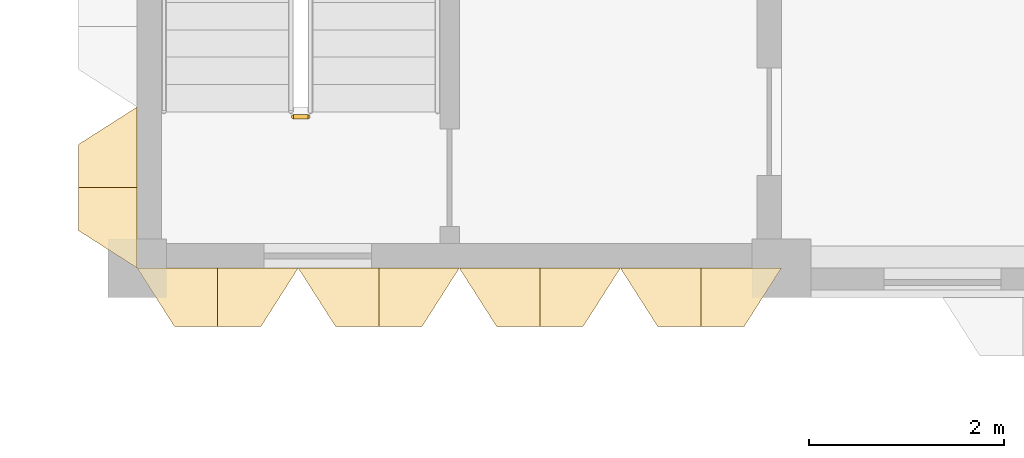
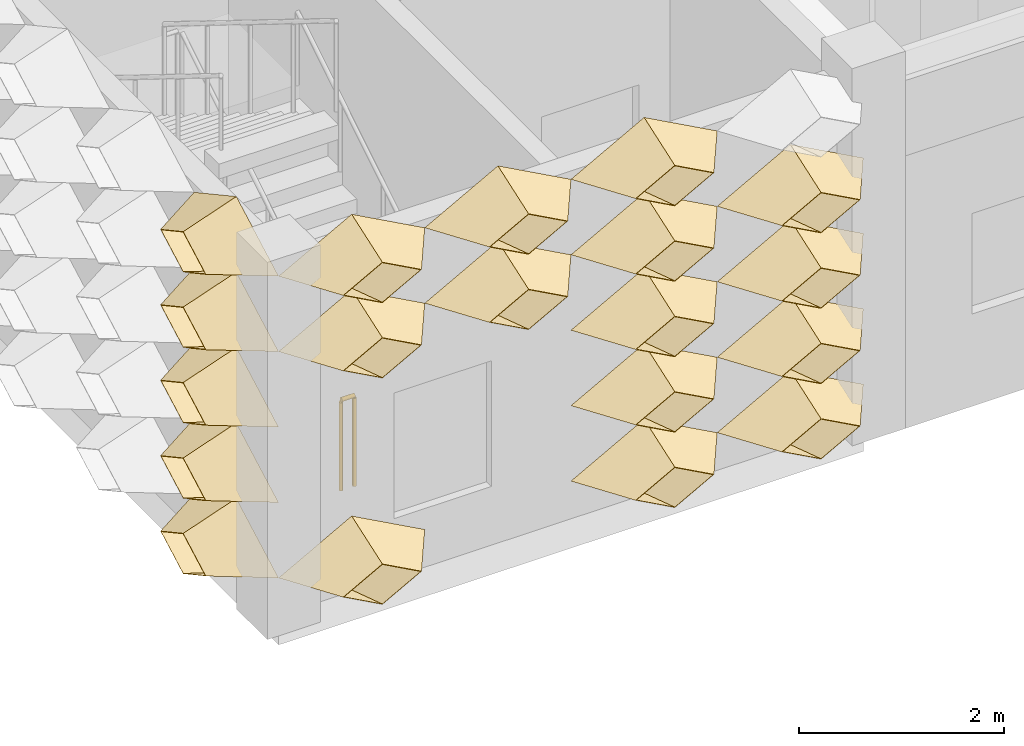
# One storey, part 52 of 87: 19 coverings, 1 railing.
"""IFC4 building model written with IfcOpenShell, lengths in metres."""

from ifc_helpers import new_model, entity, si_unit, direction, frame, origin, origin_2d, place, context, subcontext, project, spatial, circle, extrude, material, layer, layer_set, type_object, element, save


model = new_model("IFC4")

# Units and contexts
model_context = context("Model", 3, precision=1e-05, world=origin(), true_north=direction((0.0, 1.0)))
body_context = subcontext(model_context, "Body", "Model", "MODEL_VIEW")
ifc_project = project(units=[si_unit("LENGTHUNIT", "METRE"), si_unit("AREAUNIT", "SQUARE_METRE"), si_unit("VOLUMEUNIT", "CUBIC_METRE"), si_unit("PLANEANGLEUNIT", "RADIAN"), si_unit("MASSUNIT", "GRAM", prefix="KILO")], contexts=[model_context])

# Site, building, storey
site_placement = place(None, origin())
site = spatial("IfcSite", under=ifc_project, at=site_placement, CompositionType="ELEMENT")
building_placement = place(site_placement, origin())
building = spatial("IfcBuilding", under=site, at=building_placement, Name="Lantern Court Research Institute", CompositionType="ELEMENT")
storey_placement = place(building_placement, frame((0.0, 0.0, 5.39990234375)))
storey = spatial("IfcBuildingStorey", under=building, at=storey_placement, Name="L01", CompositionType="ELEMENT", Elevation=5.39990234375)

# Coverings
ifc_material_1 = material(Name="Anodised aluminium", Category="aluminium")
ifc_layer = layer(ifc_material_1, 0.01611328125)
ifc_layer_set = layer_set([ifc_layer], Name="Anodised aluminium")
covering_type = type_object("IfcCoveringType", Name="Fin cassette 1650 x 900 x 600 aluminium", PredefinedType="CLADDING", material=ifc_layer_set)
covering_1_placement = place(storey_placement, frame((0.824951171875, 49.5, 0.4501953125), z_axis=(0.0, -1.0, 0.0), x_axis=(1.0, 0.0, 0.0)))
cartesian_point_1 = entity("IfcCartesianPoint", [0.824951171875, 0.0])
cartesian_point_2 = entity("IfcCartesianPoint", [0.79150390625, 0.0])
cartesian_point_3 = entity("IfcCartesianPoint", [0.44189453125, 0.0])
cartesian_point_4 = entity("IfcCartesianPoint", [0.43359375, 0.0])
element("IfcCovering", 1, at=covering_1_placement, inside=storey, type_object=covering_type, Name="Fin cassette V3S-L01 1.1", PredefinedType="CLADDING", context=body_context, shape_type="SweptSolid", body=[
    entity("IfcExtrudedAreaSolidTapered", entity("IfcArbitraryProfileDefWithVoids", "AREA", None, entity("IfcPolyline", [cartesian_point_1, entity("IfcCartesianPoint", [0.0, 0.449951171875]), entity("IfcCartesianPoint", [-0.824951171875, 0.0]), entity("IfcCartesianPoint", [0.0, -0.449951171875]), cartesian_point_1]), [entity("IfcPolyline", [cartesian_point_2, entity("IfcCartesianPoint", [0.0, 0.431884765625]), entity("IfcCartesianPoint", [-0.79150390625, 0.0]), entity("IfcCartesianPoint", [0.0, -0.431884765625]), cartesian_point_2])]), entity("IfcAxis2Placement3D", entity("IfcCartesianPoint", [0.0, 0.0, 0.0])), entity("IfcDirection", [0.0, 0.0, 1.0]), 0.60009765625, entity("IfcArbitraryProfileDefWithVoids", "AREA", None, entity("IfcPolyline", [cartesian_point_3, entity("IfcCartesianPoint", [0.0, 0.240966796875]), entity("IfcCartesianPoint", [-0.44189453125, 0.0]), entity("IfcCartesianPoint", [0.0, -0.240966796875]), cartesian_point_3]), [entity("IfcPolyline", [cartesian_point_4, entity("IfcCartesianPoint", [0.0, 0.236572265625]), entity("IfcCartesianPoint", [-0.43359375, 0.0]), entity("IfcCartesianPoint", [0.0, -0.236572265625]), cartesian_point_4])])),
])
covering_2_placement = place(storey_placement, frame((4.125, 49.5, 0.4501953125), z_axis=(0.0, -1.0, 0.0), x_axis=(1.0, 0.0, 0.0)))
cartesian_point_5 = entity("IfcCartesianPoint", [0.824951171875, 0.0])
cartesian_point_6 = entity("IfcCartesianPoint", [0.79150390625, 0.0])
cartesian_point_7 = entity("IfcCartesianPoint", [0.44189453125, 0.0])
cartesian_point_8 = entity("IfcCartesianPoint", [0.43359375, 0.0])
element("IfcCovering", 2, at=covering_2_placement, inside=storey, type_object=covering_type, Name="Fin cassette V3S-L01 1.3", PredefinedType="CLADDING", context=body_context, shape_type="SweptSolid", body=[
    entity("IfcExtrudedAreaSolidTapered", entity("IfcArbitraryProfileDefWithVoids", "AREA", None, entity("IfcPolyline", [cartesian_point_5, entity("IfcCartesianPoint", [0.0, 0.449951171875]), entity("IfcCartesianPoint", [-0.824951171875, 0.0]), entity("IfcCartesianPoint", [0.0, -0.449951171875]), cartesian_point_5]), [entity("IfcPolyline", [cartesian_point_6, entity("IfcCartesianPoint", [0.0, 0.431884765625]), entity("IfcCartesianPoint", [-0.79150390625, 0.0]), entity("IfcCartesianPoint", [0.0, -0.431884765625]), cartesian_point_6])]), entity("IfcAxis2Placement3D", entity("IfcCartesianPoint", [0.0, 0.0, 0.0])), entity("IfcDirection", [0.0, 0.0, 1.0]), 0.60009765625, entity("IfcArbitraryProfileDefWithVoids", "AREA", None, entity("IfcPolyline", [cartesian_point_7, entity("IfcCartesianPoint", [0.0, 0.240966796875]), entity("IfcCartesianPoint", [-0.44189453125, 0.0]), entity("IfcCartesianPoint", [0.0, -0.240966796875]), cartesian_point_7]), [entity("IfcPolyline", [cartesian_point_8, entity("IfcCartesianPoint", [0.0, 0.236572265625]), entity("IfcCartesianPoint", [-0.43359375, 0.0]), entity("IfcCartesianPoint", [0.0, -0.236572265625]), cartesian_point_8])])),
])
covering_3_placement = place(storey_placement, frame((5.77490234375, 49.5, 0.4501953125), z_axis=(0.0, -1.0, 0.0), x_axis=(1.0, 0.0, 0.0)))
cartesian_point_9 = entity("IfcCartesianPoint", [0.824951171875, 0.0])
cartesian_point_10 = entity("IfcCartesianPoint", [0.79150390625, 0.0])
cartesian_point_11 = entity("IfcCartesianPoint", [0.44189453125, 0.0])
cartesian_point_12 = entity("IfcCartesianPoint", [0.43359375, 0.0])
element("IfcCovering", 3, at=covering_3_placement, inside=storey, type_object=covering_type, Name="Fin cassette V3S-L01 1.4", PredefinedType="CLADDING", context=body_context, shape_type="SweptSolid", body=[
    entity("IfcExtrudedAreaSolidTapered", entity("IfcArbitraryProfileDefWithVoids", "AREA", None, entity("IfcPolyline", [cartesian_point_9, entity("IfcCartesianPoint", [0.0, 0.449951171875]), entity("IfcCartesianPoint", [-0.824951171875, 0.0]), entity("IfcCartesianPoint", [0.0, -0.449951171875]), cartesian_point_9]), [entity("IfcPolyline", [cartesian_point_10, entity("IfcCartesianPoint", [0.0, 0.431884765625]), entity("IfcCartesianPoint", [-0.79150390625, 0.0]), entity("IfcCartesianPoint", [0.0, -0.431884765625]), cartesian_point_10])]), entity("IfcAxis2Placement3D", entity("IfcCartesianPoint", [0.0, 0.0, 0.0])), entity("IfcDirection", [0.0, 0.0, 1.0]), 0.60009765625, entity("IfcArbitraryProfileDefWithVoids", "AREA", None, entity("IfcPolyline", [cartesian_point_11, entity("IfcCartesianPoint", [0.0, 0.240966796875]), entity("IfcCartesianPoint", [-0.44189453125, 0.0]), entity("IfcCartesianPoint", [0.0, -0.240966796875]), cartesian_point_11]), [entity("IfcPolyline", [cartesian_point_12, entity("IfcCartesianPoint", [0.0, 0.236572265625]), entity("IfcCartesianPoint", [-0.43359375, 0.0]), entity("IfcCartesianPoint", [0.0, -0.236572265625]), cartesian_point_12])])),
])
covering_4_placement = place(storey_placement, frame((4.125, 49.5, 1.35009765625), z_axis=(0.0, -1.0, 0.0), x_axis=(1.0, 0.0, 0.0)))
cartesian_point_13 = entity("IfcCartesianPoint", [0.824951171875, 0.0])
cartesian_point_14 = entity("IfcCartesianPoint", [0.79150390625, 0.0])
cartesian_point_15 = entity("IfcCartesianPoint", [0.44189453125, 0.0])
cartesian_point_16 = entity("IfcCartesianPoint", [0.43359375, 0.0])
element("IfcCovering", 4, at=covering_4_placement, inside=storey, type_object=covering_type, Name="Fin cassette V3S-L01 2.3", PredefinedType="CLADDING", context=body_context, shape_type="SweptSolid", body=[
    entity("IfcExtrudedAreaSolidTapered", entity("IfcArbitraryProfileDefWithVoids", "AREA", None, entity("IfcPolyline", [cartesian_point_13, entity("IfcCartesianPoint", [0.0, 0.449951171875]), entity("IfcCartesianPoint", [-0.824951171875, 0.0]), entity("IfcCartesianPoint", [0.0, -0.449951171875]), cartesian_point_13]), [entity("IfcPolyline", [cartesian_point_14, entity("IfcCartesianPoint", [0.0, 0.431884765625]), entity("IfcCartesianPoint", [-0.79150390625, 0.0]), entity("IfcCartesianPoint", [0.0, -0.431884765625]), cartesian_point_14])]), entity("IfcAxis2Placement3D", entity("IfcCartesianPoint", [0.0, 0.0, 0.0])), entity("IfcDirection", [0.0, 0.0, 1.0]), 0.60009765625, entity("IfcArbitraryProfileDefWithVoids", "AREA", None, entity("IfcPolyline", [cartesian_point_15, entity("IfcCartesianPoint", [0.0, 0.240966796875]), entity("IfcCartesianPoint", [-0.44189453125, 0.0]), entity("IfcCartesianPoint", [0.0, -0.240966796875]), cartesian_point_15]), [entity("IfcPolyline", [cartesian_point_16, entity("IfcCartesianPoint", [0.0, 0.236572265625]), entity("IfcCartesianPoint", [-0.43359375, 0.0]), entity("IfcCartesianPoint", [0.0, -0.236572265625]), cartesian_point_16])])),
])
covering_5_placement = place(storey_placement, frame((5.77490234375, 49.5, 1.35009765625), z_axis=(0.0, -1.0, 0.0), x_axis=(1.0, 0.0, 0.0)))
cartesian_point_17 = entity("IfcCartesianPoint", [0.824951171875, 0.0])
cartesian_point_18 = entity("IfcCartesianPoint", [0.79150390625, 0.0])
cartesian_point_19 = entity("IfcCartesianPoint", [0.44189453125, 0.0])
cartesian_point_20 = entity("IfcCartesianPoint", [0.43359375, 0.0])
element("IfcCovering", 5, at=covering_5_placement, inside=storey, type_object=covering_type, Name="Fin cassette V3S-L01 2.4", PredefinedType="CLADDING", context=body_context, shape_type="SweptSolid", body=[
    entity("IfcExtrudedAreaSolidTapered", entity("IfcArbitraryProfileDefWithVoids", "AREA", None, entity("IfcPolyline", [cartesian_point_17, entity("IfcCartesianPoint", [0.0, 0.449951171875]), entity("IfcCartesianPoint", [-0.824951171875, 0.0]), entity("IfcCartesianPoint", [0.0, -0.449951171875]), cartesian_point_17]), [entity("IfcPolyline", [cartesian_point_18, entity("IfcCartesianPoint", [0.0, 0.431884765625]), entity("IfcCartesianPoint", [-0.79150390625, 0.0]), entity("IfcCartesianPoint", [0.0, -0.431884765625]), cartesian_point_18])]), entity("IfcAxis2Placement3D", entity("IfcCartesianPoint", [0.0, 0.0, 0.0])), entity("IfcDirection", [0.0, 0.0, 1.0]), 0.60009765625, entity("IfcArbitraryProfileDefWithVoids", "AREA", None, entity("IfcPolyline", [cartesian_point_19, entity("IfcCartesianPoint", [0.0, 0.240966796875]), entity("IfcCartesianPoint", [-0.44189453125, 0.0]), entity("IfcCartesianPoint", [0.0, -0.240966796875]), cartesian_point_19]), [entity("IfcPolyline", [cartesian_point_20, entity("IfcCartesianPoint", [0.0, 0.236572265625]), entity("IfcCartesianPoint", [-0.43359375, 0.0]), entity("IfcCartesianPoint", [0.0, -0.236572265625]), cartesian_point_20])])),
])
covering_6_placement = place(storey_placement, frame((4.125, 49.5, 2.25), z_axis=(0.0, -1.0, 0.0), x_axis=(1.0, 0.0, 0.0)))
cartesian_point_21 = entity("IfcCartesianPoint", [0.824951171875, 0.0])
cartesian_point_22 = entity("IfcCartesianPoint", [0.79150390625, 0.0])
cartesian_point_23 = entity("IfcCartesianPoint", [0.44189453125, 0.0])
cartesian_point_24 = entity("IfcCartesianPoint", [0.43359375, 0.0])
element("IfcCovering", 6, at=covering_6_placement, inside=storey, type_object=covering_type, Name="Fin cassette V3S-L01 3.3", PredefinedType="CLADDING", context=body_context, shape_type="SweptSolid", body=[
    entity("IfcExtrudedAreaSolidTapered", entity("IfcArbitraryProfileDefWithVoids", "AREA", None, entity("IfcPolyline", [cartesian_point_21, entity("IfcCartesianPoint", [0.0, 0.449951171875]), entity("IfcCartesianPoint", [-0.824951171875, 0.0]), entity("IfcCartesianPoint", [0.0, -0.449951171875]), cartesian_point_21]), [entity("IfcPolyline", [cartesian_point_22, entity("IfcCartesianPoint", [0.0, 0.431884765625]), entity("IfcCartesianPoint", [-0.79150390625, 0.0]), entity("IfcCartesianPoint", [0.0, -0.431884765625]), cartesian_point_22])]), entity("IfcAxis2Placement3D", entity("IfcCartesianPoint", [0.0, 0.0, 0.0])), entity("IfcDirection", [0.0, 0.0, 1.0]), 0.60009765625, entity("IfcArbitraryProfileDefWithVoids", "AREA", None, entity("IfcPolyline", [cartesian_point_23, entity("IfcCartesianPoint", [0.0, 0.240966796875]), entity("IfcCartesianPoint", [-0.44189453125, 0.0]), entity("IfcCartesianPoint", [0.0, -0.240966796875]), cartesian_point_23]), [entity("IfcPolyline", [cartesian_point_24, entity("IfcCartesianPoint", [0.0, 0.236572265625]), entity("IfcCartesianPoint", [-0.43359375, 0.0]), entity("IfcCartesianPoint", [0.0, -0.236572265625]), cartesian_point_24])])),
])
covering_7_placement = place(storey_placement, frame((5.77490234375, 49.5, 2.25), z_axis=(0.0, -1.0, 0.0), x_axis=(1.0, 0.0, 0.0)))
cartesian_point_25 = entity("IfcCartesianPoint", [0.824951171875, 0.0])
cartesian_point_26 = entity("IfcCartesianPoint", [0.79150390625, 0.0])
cartesian_point_27 = entity("IfcCartesianPoint", [0.44189453125, 0.0])
cartesian_point_28 = entity("IfcCartesianPoint", [0.43359375, 0.0])
element("IfcCovering", 7, at=covering_7_placement, inside=storey, type_object=covering_type, Name="Fin cassette V3S-L01 3.4", PredefinedType="CLADDING", context=body_context, shape_type="SweptSolid", body=[
    entity("IfcExtrudedAreaSolidTapered", entity("IfcArbitraryProfileDefWithVoids", "AREA", None, entity("IfcPolyline", [cartesian_point_25, entity("IfcCartesianPoint", [0.0, 0.449951171875]), entity("IfcCartesianPoint", [-0.824951171875, 0.0]), entity("IfcCartesianPoint", [0.0, -0.449951171875]), cartesian_point_25]), [entity("IfcPolyline", [cartesian_point_26, entity("IfcCartesianPoint", [0.0, 0.431884765625]), entity("IfcCartesianPoint", [-0.79150390625, 0.0]), entity("IfcCartesianPoint", [0.0, -0.431884765625]), cartesian_point_26])]), entity("IfcAxis2Placement3D", entity("IfcCartesianPoint", [0.0, 0.0, 0.0])), entity("IfcDirection", [0.0, 0.0, 1.0]), 0.60009765625, entity("IfcArbitraryProfileDefWithVoids", "AREA", None, entity("IfcPolyline", [cartesian_point_27, entity("IfcCartesianPoint", [0.0, 0.240966796875]), entity("IfcCartesianPoint", [-0.44189453125, 0.0]), entity("IfcCartesianPoint", [0.0, -0.240966796875]), cartesian_point_27]), [entity("IfcPolyline", [cartesian_point_28, entity("IfcCartesianPoint", [0.0, 0.236572265625]), entity("IfcCartesianPoint", [-0.43359375, 0.0]), entity("IfcCartesianPoint", [0.0, -0.236572265625]), cartesian_point_28])])),
])
covering_8_placement = place(storey_placement, frame((0.824951171875, 49.5, 3.150146484375), z_axis=(0.0, -1.0, 0.0), x_axis=(1.0, 0.0, 0.0)))
cartesian_point_29 = entity("IfcCartesianPoint", [0.824951171875, 0.0])
cartesian_point_30 = entity("IfcCartesianPoint", [0.79150390625, 0.0])
cartesian_point_31 = entity("IfcCartesianPoint", [0.44189453125, 0.0])
cartesian_point_32 = entity("IfcCartesianPoint", [0.43359375, 0.0])
element("IfcCovering", 8, at=covering_8_placement, inside=storey, type_object=covering_type, Name="Fin cassette V3S-L01 4.1", PredefinedType="CLADDING", context=body_context, shape_type="SweptSolid", body=[
    entity("IfcExtrudedAreaSolidTapered", entity("IfcArbitraryProfileDefWithVoids", "AREA", None, entity("IfcPolyline", [cartesian_point_29, entity("IfcCartesianPoint", [0.0, 0.449951171875]), entity("IfcCartesianPoint", [-0.824951171875, 0.0]), entity("IfcCartesianPoint", [0.0, -0.449951171875]), cartesian_point_29]), [entity("IfcPolyline", [cartesian_point_30, entity("IfcCartesianPoint", [0.0, 0.431884765625]), entity("IfcCartesianPoint", [-0.79150390625, 0.0]), entity("IfcCartesianPoint", [0.0, -0.431884765625]), cartesian_point_30])]), entity("IfcAxis2Placement3D", entity("IfcCartesianPoint", [0.0, 0.0, 0.0])), entity("IfcDirection", [0.0, 0.0, 1.0]), 0.60009765625, entity("IfcArbitraryProfileDefWithVoids", "AREA", None, entity("IfcPolyline", [cartesian_point_31, entity("IfcCartesianPoint", [0.0, 0.240966796875]), entity("IfcCartesianPoint", [-0.44189453125, 0.0]), entity("IfcCartesianPoint", [0.0, -0.240966796875]), cartesian_point_31]), [entity("IfcPolyline", [cartesian_point_32, entity("IfcCartesianPoint", [0.0, 0.236572265625]), entity("IfcCartesianPoint", [-0.43359375, 0.0]), entity("IfcCartesianPoint", [0.0, -0.236572265625]), cartesian_point_32])])),
])
covering_9_placement = place(storey_placement, frame((2.47509765625, 49.5, 3.150146484375), z_axis=(0.0, -1.0, 0.0), x_axis=(1.0, 0.0, 0.0)))
cartesian_point_33 = entity("IfcCartesianPoint", [0.824951171875, 0.0])
cartesian_point_34 = entity("IfcCartesianPoint", [0.79150390625, 0.0])
cartesian_point_35 = entity("IfcCartesianPoint", [0.44189453125, 0.0])
cartesian_point_36 = entity("IfcCartesianPoint", [0.43359375, 0.0])
element("IfcCovering", 9, at=covering_9_placement, inside=storey, type_object=covering_type, Name="Fin cassette V3S-L01 4.2", PredefinedType="CLADDING", context=body_context, shape_type="SweptSolid", body=[
    entity("IfcExtrudedAreaSolidTapered", entity("IfcArbitraryProfileDefWithVoids", "AREA", None, entity("IfcPolyline", [cartesian_point_33, entity("IfcCartesianPoint", [0.0, 0.449951171875]), entity("IfcCartesianPoint", [-0.824951171875, 0.0]), entity("IfcCartesianPoint", [0.0, -0.449951171875]), cartesian_point_33]), [entity("IfcPolyline", [cartesian_point_34, entity("IfcCartesianPoint", [0.0, 0.431884765625]), entity("IfcCartesianPoint", [-0.79150390625, 0.0]), entity("IfcCartesianPoint", [0.0, -0.431884765625]), cartesian_point_34])]), entity("IfcAxis2Placement3D", entity("IfcCartesianPoint", [0.0, 0.0, 0.0])), entity("IfcDirection", [0.0, 0.0, 1.0]), 0.60009765625, entity("IfcArbitraryProfileDefWithVoids", "AREA", None, entity("IfcPolyline", [cartesian_point_35, entity("IfcCartesianPoint", [0.0, 0.240966796875]), entity("IfcCartesianPoint", [-0.44189453125, 0.0]), entity("IfcCartesianPoint", [0.0, -0.240966796875]), cartesian_point_35]), [entity("IfcPolyline", [cartesian_point_36, entity("IfcCartesianPoint", [0.0, 0.236572265625]), entity("IfcCartesianPoint", [-0.43359375, 0.0]), entity("IfcCartesianPoint", [0.0, -0.236572265625]), cartesian_point_36])])),
])
covering_10_placement = place(storey_placement, frame((4.125, 49.5, 3.150146484375), z_axis=(0.0, -1.0, 0.0), x_axis=(1.0, 0.0, 0.0)))
cartesian_point_37 = entity("IfcCartesianPoint", [0.824951171875, 0.0])
cartesian_point_38 = entity("IfcCartesianPoint", [0.79150390625, 0.0])
cartesian_point_39 = entity("IfcCartesianPoint", [0.44189453125, 0.0])
cartesian_point_40 = entity("IfcCartesianPoint", [0.43359375, 0.0])
element("IfcCovering", 10, at=covering_10_placement, inside=storey, type_object=covering_type, Name="Fin cassette V3S-L01 4.3", PredefinedType="CLADDING", context=body_context, shape_type="SweptSolid", body=[
    entity("IfcExtrudedAreaSolidTapered", entity("IfcArbitraryProfileDefWithVoids", "AREA", None, entity("IfcPolyline", [cartesian_point_37, entity("IfcCartesianPoint", [0.0, 0.449951171875]), entity("IfcCartesianPoint", [-0.824951171875, 0.0]), entity("IfcCartesianPoint", [0.0, -0.449951171875]), cartesian_point_37]), [entity("IfcPolyline", [cartesian_point_38, entity("IfcCartesianPoint", [0.0, 0.431884765625]), entity("IfcCartesianPoint", [-0.79150390625, 0.0]), entity("IfcCartesianPoint", [0.0, -0.431884765625]), cartesian_point_38])]), entity("IfcAxis2Placement3D", entity("IfcCartesianPoint", [0.0, 0.0, 0.0])), entity("IfcDirection", [0.0, 0.0, 1.0]), 0.60009765625, entity("IfcArbitraryProfileDefWithVoids", "AREA", None, entity("IfcPolyline", [cartesian_point_39, entity("IfcCartesianPoint", [0.0, 0.240966796875]), entity("IfcCartesianPoint", [-0.44189453125, 0.0]), entity("IfcCartesianPoint", [0.0, -0.240966796875]), cartesian_point_39]), [entity("IfcPolyline", [cartesian_point_40, entity("IfcCartesianPoint", [0.0, 0.236572265625]), entity("IfcCartesianPoint", [-0.43359375, 0.0]), entity("IfcCartesianPoint", [0.0, -0.236572265625]), cartesian_point_40])])),
])
covering_11_placement = place(storey_placement, frame((5.77490234375, 49.5, 3.150146484375), z_axis=(0.0, -1.0, 0.0), x_axis=(1.0, 0.0, 0.0)))
cartesian_point_41 = entity("IfcCartesianPoint", [0.824951171875, 0.0])
cartesian_point_42 = entity("IfcCartesianPoint", [0.79150390625, 0.0])
cartesian_point_43 = entity("IfcCartesianPoint", [0.44189453125, 0.0])
cartesian_point_44 = entity("IfcCartesianPoint", [0.43359375, 0.0])
element("IfcCovering", 11, at=covering_11_placement, inside=storey, type_object=covering_type, Name="Fin cassette V3S-L01 4.4", PredefinedType="CLADDING", context=body_context, shape_type="SweptSolid", body=[
    entity("IfcExtrudedAreaSolidTapered", entity("IfcArbitraryProfileDefWithVoids", "AREA", None, entity("IfcPolyline", [cartesian_point_41, entity("IfcCartesianPoint", [0.0, 0.449951171875]), entity("IfcCartesianPoint", [-0.824951171875, 0.0]), entity("IfcCartesianPoint", [0.0, -0.449951171875]), cartesian_point_41]), [entity("IfcPolyline", [cartesian_point_42, entity("IfcCartesianPoint", [0.0, 0.431884765625]), entity("IfcCartesianPoint", [-0.79150390625, 0.0]), entity("IfcCartesianPoint", [0.0, -0.431884765625]), cartesian_point_42])]), entity("IfcAxis2Placement3D", entity("IfcCartesianPoint", [0.0, 0.0, 0.0])), entity("IfcDirection", [0.0, 0.0, 1.0]), 0.60009765625, entity("IfcArbitraryProfileDefWithVoids", "AREA", None, entity("IfcPolyline", [cartesian_point_43, entity("IfcCartesianPoint", [0.0, 0.240966796875]), entity("IfcCartesianPoint", [-0.44189453125, 0.0]), entity("IfcCartesianPoint", [0.0, -0.240966796875]), cartesian_point_43]), [entity("IfcPolyline", [cartesian_point_44, entity("IfcCartesianPoint", [0.0, 0.236572265625]), entity("IfcCartesianPoint", [-0.43359375, 0.0]), entity("IfcCartesianPoint", [0.0, -0.236572265625]), cartesian_point_44])])),
])
covering_12_placement = place(storey_placement, frame((0.824951171875, 49.5, 4.050048828125), z_axis=(0.0, -1.0, 0.0), x_axis=(1.0, 0.0, 0.0)))
cartesian_point_45 = entity("IfcCartesianPoint", [0.824951171875, 0.0])
cartesian_point_46 = entity("IfcCartesianPoint", [0.79150390625, 0.0])
cartesian_point_47 = entity("IfcCartesianPoint", [0.44189453125, 0.0])
cartesian_point_48 = entity("IfcCartesianPoint", [0.43359375, 0.0])
element("IfcCovering", 12, at=covering_12_placement, inside=storey, type_object=covering_type, Name="Fin cassette V3S-L01 5.1", PredefinedType="CLADDING", context=body_context, shape_type="SweptSolid", body=[
    entity("IfcExtrudedAreaSolidTapered", entity("IfcArbitraryProfileDefWithVoids", "AREA", None, entity("IfcPolyline", [cartesian_point_45, entity("IfcCartesianPoint", [0.0, 0.449951171875]), entity("IfcCartesianPoint", [-0.824951171875, 0.0]), entity("IfcCartesianPoint", [0.0, -0.449951171875]), cartesian_point_45]), [entity("IfcPolyline", [cartesian_point_46, entity("IfcCartesianPoint", [0.0, 0.431884765625]), entity("IfcCartesianPoint", [-0.79150390625, 0.0]), entity("IfcCartesianPoint", [0.0, -0.431884765625]), cartesian_point_46])]), entity("IfcAxis2Placement3D", entity("IfcCartesianPoint", [0.0, 0.0, 0.0])), entity("IfcDirection", [0.0, 0.0, 1.0]), 0.60009765625, entity("IfcArbitraryProfileDefWithVoids", "AREA", None, entity("IfcPolyline", [cartesian_point_47, entity("IfcCartesianPoint", [0.0, 0.240966796875]), entity("IfcCartesianPoint", [-0.44189453125, 0.0]), entity("IfcCartesianPoint", [0.0, -0.240966796875]), cartesian_point_47]), [entity("IfcPolyline", [cartesian_point_48, entity("IfcCartesianPoint", [0.0, 0.236572265625]), entity("IfcCartesianPoint", [-0.43359375, 0.0]), entity("IfcCartesianPoint", [0.0, -0.236572265625]), cartesian_point_48])])),
])
covering_13_placement = place(storey_placement, frame((2.47509765625, 49.5, 4.050048828125), z_axis=(0.0, -1.0, 0.0), x_axis=(1.0, 0.0, 0.0)))
cartesian_point_49 = entity("IfcCartesianPoint", [0.824951171875, 0.0])
cartesian_point_50 = entity("IfcCartesianPoint", [0.79150390625, 0.0])
cartesian_point_51 = entity("IfcCartesianPoint", [0.44189453125, 0.0])
cartesian_point_52 = entity("IfcCartesianPoint", [0.43359375, 0.0])
element("IfcCovering", 13, at=covering_13_placement, inside=storey, type_object=covering_type, Name="Fin cassette V3S-L01 5.2", PredefinedType="CLADDING", context=body_context, shape_type="SweptSolid", body=[
    entity("IfcExtrudedAreaSolidTapered", entity("IfcArbitraryProfileDefWithVoids", "AREA", None, entity("IfcPolyline", [cartesian_point_49, entity("IfcCartesianPoint", [0.0, 0.449951171875]), entity("IfcCartesianPoint", [-0.824951171875, 0.0]), entity("IfcCartesianPoint", [0.0, -0.449951171875]), cartesian_point_49]), [entity("IfcPolyline", [cartesian_point_50, entity("IfcCartesianPoint", [0.0, 0.431884765625]), entity("IfcCartesianPoint", [-0.79150390625, 0.0]), entity("IfcCartesianPoint", [0.0, -0.431884765625]), cartesian_point_50])]), entity("IfcAxis2Placement3D", entity("IfcCartesianPoint", [0.0, 0.0, 0.0])), entity("IfcDirection", [0.0, 0.0, 1.0]), 0.60009765625, entity("IfcArbitraryProfileDefWithVoids", "AREA", None, entity("IfcPolyline", [cartesian_point_51, entity("IfcCartesianPoint", [0.0, 0.240966796875]), entity("IfcCartesianPoint", [-0.44189453125, 0.0]), entity("IfcCartesianPoint", [0.0, -0.240966796875]), cartesian_point_51]), [entity("IfcPolyline", [cartesian_point_52, entity("IfcCartesianPoint", [0.0, 0.236572265625]), entity("IfcCartesianPoint", [-0.43359375, 0.0]), entity("IfcCartesianPoint", [0.0, -0.236572265625]), cartesian_point_52])])),
])
covering_14_placement = place(storey_placement, frame((4.125, 49.5, 4.050048828125), z_axis=(0.0, -1.0, 0.0), x_axis=(1.0, 0.0, 0.0)))
cartesian_point_53 = entity("IfcCartesianPoint", [0.824951171875, 0.0])
cartesian_point_54 = entity("IfcCartesianPoint", [0.79150390625, 0.0])
cartesian_point_55 = entity("IfcCartesianPoint", [0.44189453125, 0.0])
cartesian_point_56 = entity("IfcCartesianPoint", [0.43359375, 0.0])
element("IfcCovering", 14, at=covering_14_placement, inside=storey, type_object=covering_type, Name="Fin cassette V3S-L01 5.3", PredefinedType="CLADDING", context=body_context, shape_type="SweptSolid", body=[
    entity("IfcExtrudedAreaSolidTapered", entity("IfcArbitraryProfileDefWithVoids", "AREA", None, entity("IfcPolyline", [cartesian_point_53, entity("IfcCartesianPoint", [0.0, 0.449951171875]), entity("IfcCartesianPoint", [-0.824951171875, 0.0]), entity("IfcCartesianPoint", [0.0, -0.449951171875]), cartesian_point_53]), [entity("IfcPolyline", [cartesian_point_54, entity("IfcCartesianPoint", [0.0, 0.431884765625]), entity("IfcCartesianPoint", [-0.79150390625, 0.0]), entity("IfcCartesianPoint", [0.0, -0.431884765625]), cartesian_point_54])]), entity("IfcAxis2Placement3D", entity("IfcCartesianPoint", [0.0, 0.0, 0.0])), entity("IfcDirection", [0.0, 0.0, 1.0]), 0.60009765625, entity("IfcArbitraryProfileDefWithVoids", "AREA", None, entity("IfcPolyline", [cartesian_point_55, entity("IfcCartesianPoint", [0.0, 0.240966796875]), entity("IfcCartesianPoint", [-0.44189453125, 0.0]), entity("IfcCartesianPoint", [0.0, -0.240966796875]), cartesian_point_55]), [entity("IfcPolyline", [cartesian_point_56, entity("IfcCartesianPoint", [0.0, 0.236572265625]), entity("IfcCartesianPoint", [-0.43359375, 0.0]), entity("IfcCartesianPoint", [0.0, -0.236572265625]), cartesian_point_56])])),
])
covering_15_placement = place(storey_placement, frame((0.0, 50.324951171875, 0.4501953125), z_axis=(-1.0, 0.0, 0.0), x_axis=(0.0, -1.0, 0.0)))
cartesian_point_57 = entity("IfcCartesianPoint", [0.824951171875, 0.0])
cartesian_point_58 = entity("IfcCartesianPoint", [0.79150390625, 0.0])
cartesian_point_59 = entity("IfcCartesianPoint", [0.44189453125, 0.0])
cartesian_point_60 = entity("IfcCartesianPoint", [0.43359375, 0.0])
element("IfcCovering", 15, at=covering_15_placement, inside=storey, type_object=covering_type, Name="Fin cassette V3W-L01 1.31", PredefinedType="CLADDING", context=body_context, shape_type="SweptSolid", body=[
    entity("IfcExtrudedAreaSolidTapered", entity("IfcArbitraryProfileDefWithVoids", "AREA", None, entity("IfcPolyline", [cartesian_point_57, entity("IfcCartesianPoint", [0.0, 0.449951171875]), entity("IfcCartesianPoint", [-0.824951171875, 0.0]), entity("IfcCartesianPoint", [0.0, -0.449951171875]), cartesian_point_57]), [entity("IfcPolyline", [cartesian_point_58, entity("IfcCartesianPoint", [0.0, 0.431884765625]), entity("IfcCartesianPoint", [-0.79150390625, 0.0]), entity("IfcCartesianPoint", [0.0, -0.431884765625]), cartesian_point_58])]), entity("IfcAxis2Placement3D", entity("IfcCartesianPoint", [0.0, 0.0, 0.0])), entity("IfcDirection", [0.0, 0.0, 1.0]), 0.60009765625, entity("IfcArbitraryProfileDefWithVoids", "AREA", None, entity("IfcPolyline", [cartesian_point_59, entity("IfcCartesianPoint", [0.0, 0.240966796875]), entity("IfcCartesianPoint", [-0.44189453125, 0.0]), entity("IfcCartesianPoint", [0.0, -0.240966796875]), cartesian_point_59]), [entity("IfcPolyline", [cartesian_point_60, entity("IfcCartesianPoint", [0.0, 0.236572265625]), entity("IfcCartesianPoint", [-0.43359375, 0.0]), entity("IfcCartesianPoint", [0.0, -0.236572265625]), cartesian_point_60])])),
])
covering_16_placement = place(storey_placement, frame((0.0, 50.324951171875, 1.35009765625), z_axis=(-1.0, 0.0, 0.0), x_axis=(0.0, -1.0, 0.0)))
cartesian_point_61 = entity("IfcCartesianPoint", [0.824951171875, 0.0])
cartesian_point_62 = entity("IfcCartesianPoint", [0.79150390625, 0.0])
cartesian_point_63 = entity("IfcCartesianPoint", [0.44189453125, 0.0])
cartesian_point_64 = entity("IfcCartesianPoint", [0.43359375, 0.0])
element("IfcCovering", 16, at=covering_16_placement, inside=storey, type_object=covering_type, Name="Fin cassette V3W-L01 2.31", PredefinedType="CLADDING", context=body_context, shape_type="SweptSolid", body=[
    entity("IfcExtrudedAreaSolidTapered", entity("IfcArbitraryProfileDefWithVoids", "AREA", None, entity("IfcPolyline", [cartesian_point_61, entity("IfcCartesianPoint", [0.0, 0.449951171875]), entity("IfcCartesianPoint", [-0.824951171875, 0.0]), entity("IfcCartesianPoint", [0.0, -0.449951171875]), cartesian_point_61]), [entity("IfcPolyline", [cartesian_point_62, entity("IfcCartesianPoint", [0.0, 0.431884765625]), entity("IfcCartesianPoint", [-0.79150390625, 0.0]), entity("IfcCartesianPoint", [0.0, -0.431884765625]), cartesian_point_62])]), entity("IfcAxis2Placement3D", entity("IfcCartesianPoint", [0.0, 0.0, 0.0])), entity("IfcDirection", [0.0, 0.0, 1.0]), 0.60009765625, entity("IfcArbitraryProfileDefWithVoids", "AREA", None, entity("IfcPolyline", [cartesian_point_63, entity("IfcCartesianPoint", [0.0, 0.240966796875]), entity("IfcCartesianPoint", [-0.44189453125, 0.0]), entity("IfcCartesianPoint", [0.0, -0.240966796875]), cartesian_point_63]), [entity("IfcPolyline", [cartesian_point_64, entity("IfcCartesianPoint", [0.0, 0.236572265625]), entity("IfcCartesianPoint", [-0.43359375, 0.0]), entity("IfcCartesianPoint", [0.0, -0.236572265625]), cartesian_point_64])])),
])
covering_17_placement = place(storey_placement, frame((0.0, 50.324951171875, 2.25), z_axis=(-1.0, 0.0, 0.0), x_axis=(0.0, -1.0, 0.0)))
cartesian_point_65 = entity("IfcCartesianPoint", [0.824951171875, 0.0])
cartesian_point_66 = entity("IfcCartesianPoint", [0.79150390625, 0.0])
cartesian_point_67 = entity("IfcCartesianPoint", [0.44189453125, 0.0])
cartesian_point_68 = entity("IfcCartesianPoint", [0.43359375, 0.0])
element("IfcCovering", 17, at=covering_17_placement, inside=storey, type_object=covering_type, Name="Fin cassette V3W-L01 3.31", PredefinedType="CLADDING", context=body_context, shape_type="SweptSolid", body=[
    entity("IfcExtrudedAreaSolidTapered", entity("IfcArbitraryProfileDefWithVoids", "AREA", None, entity("IfcPolyline", [cartesian_point_65, entity("IfcCartesianPoint", [0.0, 0.449951171875]), entity("IfcCartesianPoint", [-0.824951171875, 0.0]), entity("IfcCartesianPoint", [0.0, -0.449951171875]), cartesian_point_65]), [entity("IfcPolyline", [cartesian_point_66, entity("IfcCartesianPoint", [0.0, 0.431884765625]), entity("IfcCartesianPoint", [-0.79150390625, 0.0]), entity("IfcCartesianPoint", [0.0, -0.431884765625]), cartesian_point_66])]), entity("IfcAxis2Placement3D", entity("IfcCartesianPoint", [0.0, 0.0, 0.0])), entity("IfcDirection", [0.0, 0.0, 1.0]), 0.60009765625, entity("IfcArbitraryProfileDefWithVoids", "AREA", None, entity("IfcPolyline", [cartesian_point_67, entity("IfcCartesianPoint", [0.0, 0.240966796875]), entity("IfcCartesianPoint", [-0.44189453125, 0.0]), entity("IfcCartesianPoint", [0.0, -0.240966796875]), cartesian_point_67]), [entity("IfcPolyline", [cartesian_point_68, entity("IfcCartesianPoint", [0.0, 0.236572265625]), entity("IfcCartesianPoint", [-0.43359375, 0.0]), entity("IfcCartesianPoint", [0.0, -0.236572265625]), cartesian_point_68])])),
])
covering_18_placement = place(storey_placement, frame((0.0, 50.324951171875, 3.150146484375), z_axis=(-1.0, 0.0, 0.0), x_axis=(0.0, -1.0, 0.0)))
cartesian_point_69 = entity("IfcCartesianPoint", [0.824951171875, 0.0])
cartesian_point_70 = entity("IfcCartesianPoint", [0.79150390625, 0.0])
cartesian_point_71 = entity("IfcCartesianPoint", [0.44189453125, 0.0])
cartesian_point_72 = entity("IfcCartesianPoint", [0.43359375, 0.0])
element("IfcCovering", 18, at=covering_18_placement, inside=storey, type_object=covering_type, Name="Fin cassette V3W-L01 4.31", PredefinedType="CLADDING", context=body_context, shape_type="SweptSolid", body=[
    entity("IfcExtrudedAreaSolidTapered", entity("IfcArbitraryProfileDefWithVoids", "AREA", None, entity("IfcPolyline", [cartesian_point_69, entity("IfcCartesianPoint", [0.0, 0.449951171875]), entity("IfcCartesianPoint", [-0.824951171875, 0.0]), entity("IfcCartesianPoint", [0.0, -0.449951171875]), cartesian_point_69]), [entity("IfcPolyline", [cartesian_point_70, entity("IfcCartesianPoint", [0.0, 0.431884765625]), entity("IfcCartesianPoint", [-0.79150390625, 0.0]), entity("IfcCartesianPoint", [0.0, -0.431884765625]), cartesian_point_70])]), entity("IfcAxis2Placement3D", entity("IfcCartesianPoint", [0.0, 0.0, 0.0])), entity("IfcDirection", [0.0, 0.0, 1.0]), 0.60009765625, entity("IfcArbitraryProfileDefWithVoids", "AREA", None, entity("IfcPolyline", [cartesian_point_71, entity("IfcCartesianPoint", [0.0, 0.240966796875]), entity("IfcCartesianPoint", [-0.44189453125, 0.0]), entity("IfcCartesianPoint", [0.0, -0.240966796875]), cartesian_point_71]), [entity("IfcPolyline", [cartesian_point_72, entity("IfcCartesianPoint", [0.0, 0.236572265625]), entity("IfcCartesianPoint", [-0.43359375, 0.0]), entity("IfcCartesianPoint", [0.0, -0.236572265625]), cartesian_point_72])])),
])
covering_19_placement = place(storey_placement, frame((0.0, 50.324951171875, 4.050048828125), z_axis=(-1.0, 0.0, 0.0), x_axis=(0.0, -1.0, 0.0)))
cartesian_point_73 = entity("IfcCartesianPoint", [0.824951171875, 0.0])
cartesian_point_74 = entity("IfcCartesianPoint", [0.79150390625, 0.0])
cartesian_point_75 = entity("IfcCartesianPoint", [0.44189453125, 0.0])
cartesian_point_76 = entity("IfcCartesianPoint", [0.43359375, 0.0])
element("IfcCovering", 19, at=covering_19_placement, inside=storey, type_object=covering_type, Name="Fin cassette V3W-L01 5.31", PredefinedType="CLADDING", context=body_context, shape_type="SweptSolid", body=[
    entity("IfcExtrudedAreaSolidTapered", entity("IfcArbitraryProfileDefWithVoids", "AREA", None, entity("IfcPolyline", [cartesian_point_73, entity("IfcCartesianPoint", [0.0, 0.449951171875]), entity("IfcCartesianPoint", [-0.824951171875, 0.0]), entity("IfcCartesianPoint", [0.0, -0.449951171875]), cartesian_point_73]), [entity("IfcPolyline", [cartesian_point_74, entity("IfcCartesianPoint", [0.0, 0.431884765625]), entity("IfcCartesianPoint", [-0.79150390625, 0.0]), entity("IfcCartesianPoint", [0.0, -0.431884765625]), cartesian_point_74])]), entity("IfcAxis2Placement3D", entity("IfcCartesianPoint", [0.0, 0.0, 0.0])), entity("IfcDirection", [0.0, 0.0, 1.0]), 0.60009765625, entity("IfcArbitraryProfileDefWithVoids", "AREA", None, entity("IfcPolyline", [cartesian_point_75, entity("IfcCartesianPoint", [0.0, 0.240966796875]), entity("IfcCartesianPoint", [-0.44189453125, 0.0]), entity("IfcCartesianPoint", [0.0, -0.240966796875]), cartesian_point_75]), [entity("IfcPolyline", [cartesian_point_76, entity("IfcCartesianPoint", [0.0, 0.236572265625]), entity("IfcCartesianPoint", [-0.43359375, 0.0]), entity("IfcCartesianPoint", [0.0, -0.236572265625]), cartesian_point_76])])),
])

# Railing
ifc_material_2 = material(Name="Structural steel S355", Category="steel")
railing_type = type_object("IfcRailingType", Name="Stair guard 1100 steel", PredefinedType="GUARDRAIL", material=ifc_material_2)
railing_placement = place(storey_placement, frame((1.75, 51.050048828125, 0.0)))
element("IfcRailing", 20, at=railing_placement, inside=storey, type_object=railing_type, Name="L01 ST-C1 stair guard 4", PredefinedType="GUARDRAIL", context=body_context, shape_type="SweptSolid", body=[
    extrude(circle(Radius=0.02392578125, at=origin_2d()), frame((0.0, 0.0, 1.076171875), z_axis=(-1.0, 0.0, 0.0), x_axis=(0.0, -1.0, 0.0)), (0.0, 0.0, 1.0), 0.14990234375),
    extrude(circle(Radius=0.02099609375, at=origin_2d()), origin(), (0.0, 0.0, 1.0), 1.052001953125),
    extrude(circle(Radius=0.02099609375, at=origin_2d()), frame((-0.14990234375, 0.0, 0.0)), (0.0, 0.0, 1.0), 1.052001953125),
])

save(model, "model.ifc")
